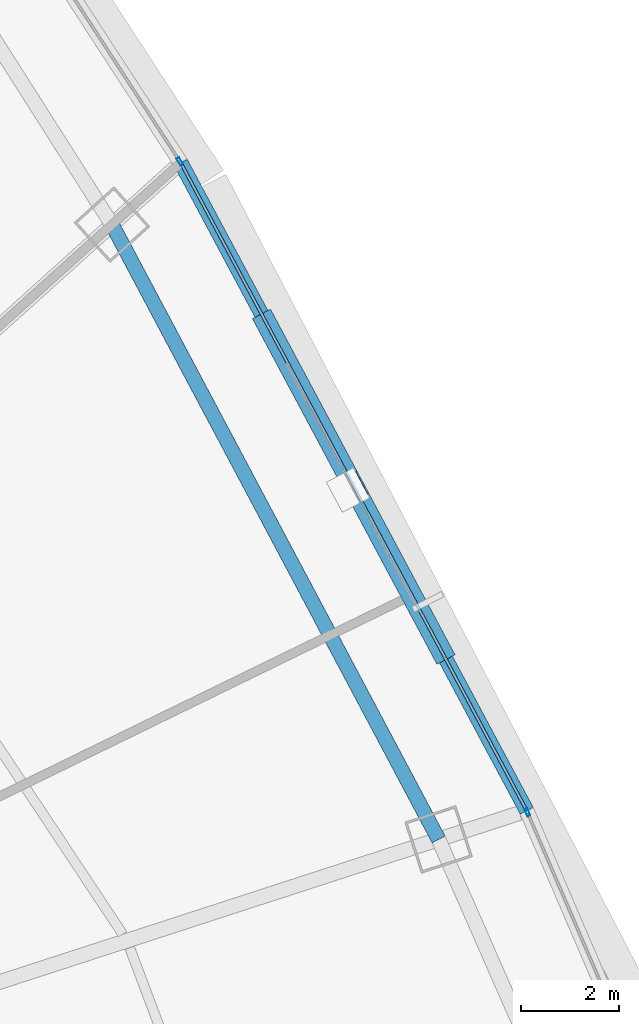
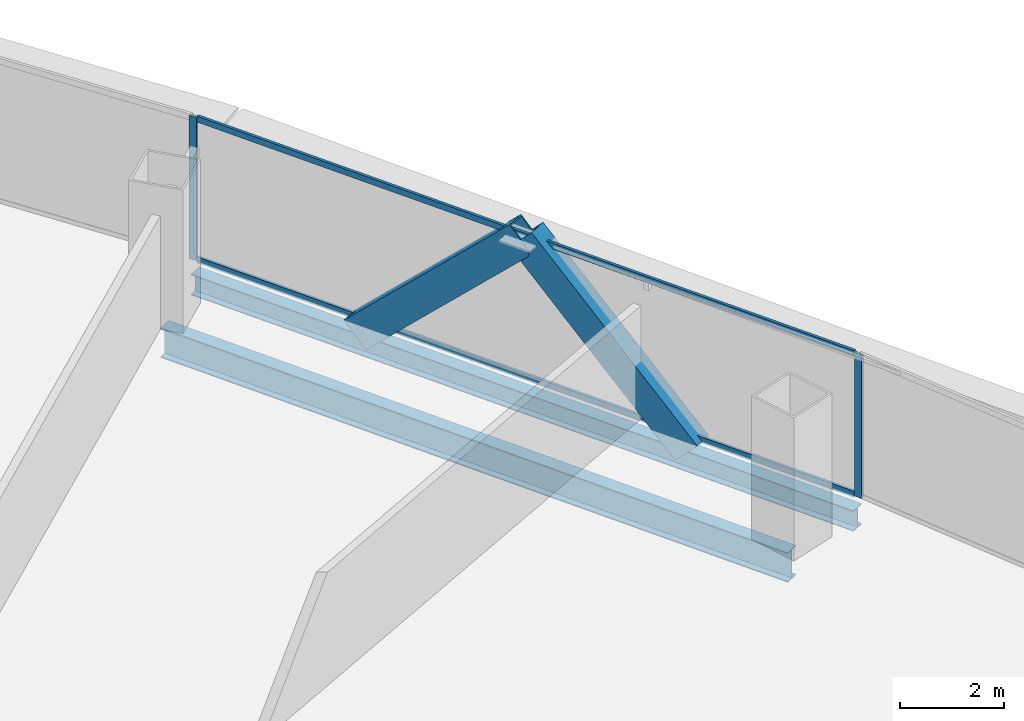
# One storey, part 23 of 38: 6 members, 2 beams, 3 elements without a shape of their own.
"""IFC4 building model written with IfcOpenShell, lengths in metres."""

import ifcopenshell
import ifcopenshell.guid

model = None  # the IFC model being written
_history = None  # IfcOwnerHistory: only IFC2X3 demands one
_inside = {}  # id of a spatial element -> (the spatial element, [elements in it])
_under = {}  # id of a project, library or spatial element -> (it, [spatial elements below it])
_declared = {}  # id of a project -> (the project, [libraries it declares])
_typed = {}  # id of a type object -> (the type object, [elements of that type])
_made_of = {}  # id of a material, layer set ... -> (it, [elements and type objects made of it])


def new_model(schema):
    """Start an empty IFC model of exactly this schema.

    Asked for "IFC4X3", IfcOpenShell would pick the latest addendum, in which some entities
    have other attributes; the version numbers below select the first issue.
    IFC2X3 requires an IfcOwnerHistory on every rooted entity: one is made here for all.
    """
    global model, _history
    if schema == "IFC4X3":
        model = ifcopenshell.file(schema_version=(4, 3, 0, 0))
    else:
        model = ifcopenshell.file(schema=schema)
    _inside.clear()
    _under.clear()
    _declared.clear()
    _typed.clear()
    _made_of.clear()
    _history = None
    if model.schema == "IFC2X3":
        org = make("IfcOrganization", Name="unknown")
        user = make(
            "IfcPersonAndOrganization",
            ThePerson=make("IfcPerson", FamilyName="unknown"),
            TheOrganization=org,
        )
        app = make(
            "IfcApplication",
            ApplicationDeveloper=org,
            Version="unknown",
            ApplicationFullName="unknown",
            ApplicationIdentifier="unknown",
        )
        _history = make(
            "IfcOwnerHistory",
            OwningUser=user,
            OwningApplication=app,
            ChangeAction="ADDED",
            CreationDate=0,
        )
    return model


def make(cls, **values):
    """One entity of the class cls with the attributes given. An attribute that is None is left unset."""
    return model.create_entity(
        cls, **{name: value for name, value in values.items() if value is not None}
    )


def rooted(cls, **values):
    """An entity with a GlobalId (a new one), such as an element, a storey or a relation."""
    return make(cls, GlobalId=ifcopenshell.guid.new(), OwnerHistory=_history, **values)


def si_unit(unit_type, name, prefix=None):
    """IfcSIUnit, for example si_unit("LENGTHUNIT", "METRE", prefix="MILLI")."""
    return make("IfcSIUnit", UnitType=unit_type, Prefix=prefix, Name=name)


def assignment(units):
    """IfcUnitAssignment: the units of a project."""
    return None if units is None else make("IfcUnitAssignment", Units=units)


def point(xyz):
    """IfcCartesianPoint."""
    return None if xyz is None else make("IfcCartesianPoint", Coordinates=xyz)


def direction(xyz):
    """IfcDirection."""
    return None if xyz is None else make("IfcDirection", DirectionRatios=xyz)


def frame(location, z_axis=None, x_axis=None):
    """IfcAxis2Placement3D, a coordinate frame: its origin and axes. An axis left out is left unset."""
    return make(
        "IfcAxis2Placement3D",
        Location=point(location),
        Axis=direction(z_axis),
        RefDirection=direction(x_axis),
    )


def frame_2d(location, x_axis=None):
    """IfcAxis2Placement2D, a coordinate frame in the plane: its origin and x axis."""
    return make(
        "IfcAxis2Placement2D", Location=point(location), RefDirection=direction(x_axis)
    )


def origin():
    """The frame at (0, 0, 0) with its axes left unset."""
    return frame((0.0, 0.0, 0.0))


def origin_2d():
    """The frame at (0, 0) in the plane with its x axis left unset."""
    return frame_2d((0.0, 0.0))


def place(relative_to, where):
    """IfcLocalPlacement: puts the frame where relative to a parent placement (None: the world)."""
    return make(
        "IfcLocalPlacement", PlacementRelTo=relative_to, RelativePlacement=where
    )


def context(
    kind, dimensions, precision=None, world=None, true_north=None, identifier=None
):
    """IfcGeometricRepresentationContext, for example the 3D "Model" context."""
    return make(
        "IfcGeometricRepresentationContext",
        ContextIdentifier=identifier,
        ContextType=kind,
        CoordinateSpaceDimension=dimensions,
        Precision=precision,
        WorldCoordinateSystem=world,
        TrueNorth=true_north,
    )


def subcontext(parent, identifier, kind, view, scale=None):
    """IfcGeometricRepresentationSubContext, for example "Body" below "Model"."""
    return make(
        "IfcGeometricRepresentationSubContext",
        ContextIdentifier=identifier,
        ContextType=kind,
        ParentContext=parent,
        TargetScale=scale,
        TargetView=view,
    )


def project(units=None, contexts=None):
    """IfcProject with its units and contexts."""
    return rooted(
        "IfcProject",
        Name="project",
        RepresentationContexts=contexts,
        UnitsInContext=assignment(units),
    )


def spatial(cls, under=None, at=None, **own):
    """A site, building, storey or space (cls), placed at a placement, below another one or the project."""
    s = rooted(cls, ObjectPlacement=at, **own)
    if under is not None:
        _under.setdefault(under.id(), (under, []))[1].append(s)
    return s


def profile(cls, at=None, kind="AREA", **sizes):
    """A parametric profile (cls). Its sizes go by their IFC names, for example OverallWidth=200.0."""
    return make(cls, ProfileType=kind, Position=at, **sizes)


def hollow_rectangle(**sizes):
    """IfcRectangleHollowProfileDef."""
    return profile("IfcRectangleHollowProfileDef", **sizes)


def i_section(**sizes):
    """IfcIShapeProfileDef."""
    return profile("IfcIShapeProfileDef", **sizes)


def extrude(swept, where, along, depth):
    """IfcExtrudedAreaSolid: the profile swept, set in the frame where, extruded along a direction by depth."""
    return make(
        "IfcExtrudedAreaSolid",
        SweptArea=swept,
        Position=where,
        ExtrudedDirection=direction(along),
        Depth=depth,
    )


def shape(context_of_items, identifier, shape_type, items):
    """IfcShapeRepresentation: the items that make up one representation, for example the "Body"."""
    return make(
        "IfcShapeRepresentation",
        ContextOfItems=context_of_items,
        RepresentationIdentifier=identifier,
        RepresentationType=shape_type,
        Items=items,
    )


def source(mapping_origin, context_of_items, identifier, shape_type, items):
    """IfcRepresentationMap: a shape defined once, which mapped items show again and again."""
    return make(
        "IfcRepresentationMap",
        MappingOrigin=mapping_origin,
        MappedRepresentation=shape(context_of_items, identifier, shape_type, items),
    )


def transform(
    local_origin,
    x_axis=None,
    y_axis=None,
    z_axis=None,
    scale=None,
    scale2=None,
    scale3=None,
    uniform=True,
):
    """IfcCartesianTransformationOperator3D, or its non-uniform kind. x_axis, y_axis, z_axis: its Axis1, 2, 3."""
    if uniform:
        return make(
            "IfcCartesianTransformationOperator3D",
            Axis1=direction(x_axis),
            Axis2=direction(y_axis),
            LocalOrigin=point(local_origin),
            Scale=scale,
            Axis3=direction(z_axis),
        )
    return make(
        "IfcCartesianTransformationOperator3DnonUniform",
        Axis1=direction(x_axis),
        Axis2=direction(y_axis),
        LocalOrigin=point(local_origin),
        Scale=scale,
        Axis3=direction(z_axis),
        Scale2=scale2,
        Scale3=scale3,
    )


def mapped(mapping_source, mapping_target):
    """IfcMappedItem: shows the shape of a source again, moved by a transform."""
    return make(
        "IfcMappedItem", MappingSource=mapping_source, MappingTarget=mapping_target
    )


def material(Name=None, Category=None):
    """IfcMaterial."""
    return make("IfcMaterial", Name=Name, Category=Category)


def layer(
    of_material, thickness, ventilated=None, Name=None, Category=None, Priority=None
):
    """IfcMaterialLayer: one layer of a wall or slab, of a material (None: an air gap)."""
    return make(
        "IfcMaterialLayer",
        Material=of_material,
        LayerThickness=thickness,
        IsVentilated=ventilated,
        Name=Name,
        Category=Category,
        Priority=Priority,
    )


def layer_set(layers, Name=None):
    """IfcMaterialLayerSet."""
    return make("IfcMaterialLayerSet", MaterialLayers=layers, LayerSetName=Name)


def material_profile(
    of_material, cross_section, Name=None, Category=None, Priority=None
):
    """IfcMaterialProfile: a cross section and its material."""
    return make(
        "IfcMaterialProfile",
        Name=Name,
        Material=of_material,
        Profile=cross_section,
        Priority=Priority,
        Category=Category,
    )


def profile_set(profiles, Name=None, composite=None):
    """IfcMaterialProfileSet."""
    return make(
        "IfcMaterialProfileSet",
        Name=Name,
        MaterialProfiles=profiles,
        CompositeProfile=composite,
    )


def made_of(thing, what):
    """Note that an element or type object is made of a material, layer set ...; save() writes the relation."""
    if what is not None:
        _made_of.setdefault(what.id(), (what, []))[1].append(thing)
    return thing


def type_object(cls, material=None, **own):
    """A type object (cls), such as IfcWallType, which elements share."""
    return made_of(rooted(cls, **own), material)


def element(
    cls,
    number,
    at=None,
    inside=None,
    cuts=None,
    type_object=None,
    material=None,
    context=None,
    identifier="Body",
    shape_type=None,
    held_by="IfcProductDefinitionShape",
    body=None,
    shapes=None,
    **own,
):
    """One element of the class cls, such as IfcWall. Its Tag is "e" and its number.

    at: its placement. inside: the storey or other place that contains it. cuts: it is an
    opening in that element (IfcRelVoidsElement). A single representation is given by context,
    identifier, shape_type and body (its items); several are given by shapes. held_by: the class
    of the entity that holds the representations. save() writes the other relations.
    """
    e = rooted(cls, Tag="e%d" % number, ObjectPlacement=at, **own)
    if body is not None:
        shapes = [shape(context, identifier, shape_type, body)]
    if shapes is not None:
        e.Representation = make(held_by, Representations=shapes)
    if inside is not None:
        _inside.setdefault(inside.id(), (inside, []))[1].append(e)
    if cuts is not None:
        rooted(
            "IfcRelVoidsElement", RelatingBuildingElement=cuts, RelatedOpeningElement=e
        )
    if type_object is not None:
        _typed.setdefault(type_object.id(), (type_object, []))[1].append(e)
    return made_of(e, material)


def aggregate(whole, parts):
    """IfcRelAggregates: a whole, such as a stair, and the parts it consists of."""
    return rooted("IfcRelAggregates", RelatingObject=whole, RelatedObjects=parts)


def save(model, path):
    """Write the relations noted so far, then the file.

    IfcRelAggregates (storeys below a building ...), IfcRelContainedInSpatialStructure (elements
    in a storey), IfcRelDefinesByType, IfcRelAssociatesMaterial and IfcRelDeclares: one each for
    every whole, place, type object, material and project.
    """
    for whole, parts in _under.values():
        aggregate(whole, parts)
    for where, things in _inside.values():
        rooted(
            "IfcRelContainedInSpatialStructure",
            RelatedElements=things,
            RelatingStructure=where,
        )
    for kind, things in _typed.values():
        rooted("IfcRelDefinesByType", RelatedObjects=things, RelatingType=kind)
    for what, things in _made_of.values():
        rooted("IfcRelAssociatesMaterial", RelatedObjects=things, RelatingMaterial=what)
    for by, libraries in _declared.values():
        rooted("IfcRelDeclares", RelatingContext=by, RelatedDefinitions=libraries)
    model.write(path)


model = new_model("IFC4")

# Units and contexts
model_context = context("Model", 3, precision=1e-05, world=origin(), true_north=direction((0.0, 1.0)))
body_context = subcontext(model_context, "Body", "Model", "MODEL_VIEW")
ifc_project = project(units=[si_unit("LENGTHUNIT", "METRE"), si_unit("AREAUNIT", "SQUARE_METRE"), si_unit("VOLUMEUNIT", "CUBIC_METRE"), si_unit("PLANEANGLEUNIT", "RADIAN"), si_unit("MASSUNIT", "GRAM", prefix="KILO"), si_unit("THERMODYNAMICTEMPERATUREUNIT", "KELVIN"), si_unit("POWERUNIT", "WATT")], contexts=[model_context])

# Site, building, storey
site_placement = place(None, origin())
site = spatial("IfcSite", under=ifc_project, at=site_placement, CompositionType="ELEMENT")
building_placement = place(site_placement, origin())
building = spatial("IfcBuilding", under=site, at=building_placement, Name="Yunzhuo Pagoda Commons", CompositionType="ELEMENT")
storey_placement = place(building_placement, frame((0.0, 0.0, 37.659912109375)))
storey = spatial("IfcBuildingStorey", under=building, at=storey_placement, Name="L09", CompositionType="ELEMENT", Elevation=37.659912109375)

# Beams
ifc_material_1 = material(Name="Structural steel Q355B", Category="steel")
ifc_material_profile_1 = material_profile(ifc_material_1, i_section(OverallWidth=0.300048828125, OverallDepth=0.699951171875, WebThickness=0.012939453125, FlangeThickness=0.02392578125, at=origin_2d()), Name="Structural steel Q355B")
ifc_profile_set_1 = profile_set([ifc_material_profile_1], Name="Structural steel Q355B")
beam_type_1 = type_object("IfcBeamType", Name="B-RG1 Beam HN 700x300x13x24", PredefinedType="BEAM", material=ifc_profile_set_1)
shared_shape_1 = source(origin(), body_context, "Body", "SweptSolid", [
    extrude(i_section(OverallWidth=0.300048828125, OverallDepth=0.699951171875, WebThickness=0.012939453125, FlangeThickness=0.02392578125, at=origin_2d()), origin(), (0.0, 0.0, 1.0), 14.25390625),
])
beam_1_placement = place(storey_placement, frame((80.33544921875, 44.206298828125, -0.60986328125), z_axis=(-0.469118073628, 0.883135455633, 0.0), x_axis=(-0.883135455633, -0.469118073628, 0.0)))
element("IfcBeam", 1, at=beam_1_placement, inside=storey, type_object=beam_type_1, Name="L09 column-ring beam 6", PredefinedType="BEAM", context=body_context, shape_type="MappedRepresentation", body=[
    mapped(shared_shape_1, transform((0.0, 0.0, 0.0), scale=1.0)),
])
ifc_material_profile_2 = material_profile(ifc_material_1, i_section(OverallWidth=0.300048828125, OverallDepth=0.488037109375, WebThickness=0.010986328125, FlangeThickness=0.01806640625, at=origin_2d()), Name="Structural steel Q355B")
ifc_profile_set_2 = profile_set([ifc_material_profile_2], Name="Structural steel Q355B")
beam_type_2 = type_object("IfcBeamType", Name="B-SP1 Beam HM 488x300x11x18", PredefinedType="BEAM", material=ifc_profile_set_2)
shared_shape_2 = source(origin(), body_context, "Body", "SweptSolid", [
    extrude(i_section(OverallWidth=0.300048828125, OverallDepth=0.488037109375, WebThickness=0.010986328125, FlangeThickness=0.01806640625, at=origin_2d()), origin(), (0.0, 0.0, 1.0), 15.04150390625),
])
beam_2_placement = place(storey_placement, frame((82.140625, 44.79296875, -0.50390625), z_axis=(-0.470965610657, 0.882151570637, 0.0), x_axis=(-0.882151570637, -0.470965610657, 0.0)))
element("IfcBeam", 2, at=beam_2_placement, inside=storey, type_object=beam_type_2, Name="L09 facade edge spandrel beam F2.2", PredefinedType="BEAM", context=body_context, shape_type="MappedRepresentation", body=[
    mapped(shared_shape_2, transform((0.0, 0.0, 0.0), scale=1.0)),
])

# Members
ifc_material_2 = material(Name="Structural steel Q420B", Category="steel")
ifc_material_profile_3 = material_profile(ifc_material_2, hollow_rectangle(XDim=0.419921875, YDim=0.719970703125, WallThickness=0.028076171875, at=origin_2d()), Name="Structural steel Q420B")
ifc_profile_set_3 = profile_set([ifc_material_profile_3], Name="Structural steel Q420B")
member_type_1 = type_object("IfcMemberType", Name="M-DL1 Brace BOX 720x420x28", PredefinedType="BRACE", material=ifc_profile_set_3)
shared_shape_3 = source(origin(), body_context, "Body", "SweptSolid", [
    extrude(hollow_rectangle(XDim=0.419921875, YDim=0.719970703125, WallThickness=0.028076171875, at=origin_2d()), origin(), (0.0, 0.0, 1.0), 5.226806640625),
])
member_1_placement = place(storey_placement, frame((80.36962890625, 48.110107421875, -0.260009765625), z_axis=(-0.338872236988, 0.634678973975, 0.69451292788), x_axis=(-0.882135398072, -0.470995901753, 0.0)))
element("IfcMember", 3, at=member_1_placement, inside=storey, type_object=member_type_1, Name="L09 facade diamond brace F2.2L", PredefinedType="BRACE", context=body_context, shape_type="MappedRepresentation", body=[
    mapped(shared_shape_3, transform((0.0, 0.0, 0.0), scale=1.0)),
])
shared_shape_4 = source(origin(), body_context, "Body", "SweptSolid", [
    extrude(hollow_rectangle(XDim=0.419921875, YDim=0.719970703125, WallThickness=0.028076171875, at=origin_2d()), origin(), (0.0, 0.0, 1.0), 5.2265625),
])
member_2_placement = place(storey_placement, frame((76.827392578125, 54.744384765625, -0.260009765625), z_axis=(0.33885098128, -0.634633227416, 0.694565100725), x_axis=(0.882133567562, 0.470999330126, 0.0)))
element("IfcMember", 4, at=member_2_placement, inside=storey, type_object=member_type_1, Name="L09 facade diamond brace F2.2R", PredefinedType="BRACE", context=body_context, shape_type="MappedRepresentation", body=[
    mapped(shared_shape_4, transform((0.0, 0.0, 0.0), scale=1.0)),
])

# Curtain wall, members
ifc_material_3 = material(Name="Anodized aluminium 6063-T6", Category="aluminium")
ifc_layer = layer(ifc_material_3, 0.1650390625)
ifc_layer_set = layer_set([ifc_layer], Name="Anodized aluminium 6063-T6")
curtain_wall_type = type_object("IfcCurtainWallType", Name="CW-LOW Low-Zone Ribbon Curtain Wall", PredefinedType="NOTDEFINED", material=ifc_layer_set)
curtain_wall_1_placement = place(storey_placement, origin())
curtain_wall_1 = element("IfcCurtainWall", 5, at=curtain_wall_1_placement, inside=storey, type_object=curtain_wall_type, Name="L09 curtain wall CW-L09-F2B3", PredefinedType="NOTDEFINED")
ifc_material_profile_4 = material_profile(ifc_material_3, hollow_rectangle(XDim=0.06005859375, YDim=0.139892578125, WallThickness=0.00341796875, at=origin_2d()), Name="Anodized aluminium 6063-T6")
ifc_profile_set_4 = profile_set([ifc_material_profile_4], Name="Anodized aluminium 6063-T6")
member_type_2 = type_object("IfcMemberType", Name="CW-LOW-T Transom RHS 140x60x3.5", PredefinedType="USERDEFINED", material=ifc_profile_set_4)
shared_shape_5 = source(origin(), body_context, "Body", "SweptSolid", [
    extrude(hollow_rectangle(XDim=0.06005859375, YDim=0.139892578125, WallThickness=0.00341796875, at=origin_2d()), origin(), (0.0, 0.0, 1.0), 14.911865234375),
])
member_3_placement = place(storey_placement, frame((82.110107421875, 44.850341796875, 0.030029296875), z_axis=(-0.470983333873, 0.882142108287, 0.0), x_axis=(-0.882142108287, -0.470983333873, 0.0)))
member_3 = element("IfcMember", 6, at=member_3_placement, type_object=member_type_2, Name="CW transom 1.1", ObjectType="TRANSOM", PredefinedType="USERDEFINED", context=body_context, shape_type="MappedRepresentation", body=[
    mapped(shared_shape_5, transform((0.0, 0.0, 0.0), scale=1.0)),
])
member_4_placement = place(storey_placement, frame((82.110107421875, 44.850341796875, 3.340087890625), z_axis=(-0.470983333873, 0.882142108287, 0.0), x_axis=(-0.882142108287, -0.470983333873, 0.0)))
member_4 = element("IfcMember", 7, at=member_4_placement, type_object=member_type_2, Name="CW transom 1.2", ObjectType="TRANSOM", PredefinedType="USERDEFINED", context=body_context, shape_type="MappedRepresentation", body=[
    mapped(shared_shape_5, transform((0.0, 0.0, 0.0), scale=1.0)),
])
aggregate(curtain_wall_1, [member_3, member_4])

# Curtain wall, member
curtain_wall_2_placement = place(storey_placement, origin())
curtain_wall_2 = element("IfcCurtainWall", 8, at=curtain_wall_2_placement, inside=storey, type_object=curtain_wall_type, Name="L09 curtain wall CW-L09-F2B2", PredefinedType="NOTDEFINED")
ifc_material_profile_5 = material_profile(ifc_material_3, hollow_rectangle(XDim=0.06494140625, YDim=0.1650390625, WallThickness=0.00390625, at=origin_2d()), Name="Anodized aluminium 6063-T6")
ifc_profile_set_5 = profile_set([ifc_material_profile_5], Name="Anodized aluminium 6063-T6")
member_type_3 = type_object("IfcMemberType", Name="CW-LOW-M Mullion RHS 165x65x4", PredefinedType="MULLION", material=ifc_profile_set_5)
shared_shape_6 = source(origin(), body_context, "Body", "SweptSolid", [
    extrude(hollow_rectangle(XDim=0.06494140625, YDim=0.1650390625, WallThickness=0.00390625, at=origin_2d()), origin(), (0.0, 0.0, 1.0), 3.3701171875),
])
member_5_placement = place(storey_placement, frame((82.15380859375, 44.76318359375, 0.0), z_axis=(0.0, 0.0, 1.0), x_axis=(-0.918745212535, -0.394850901535, 0.0)))
member_5 = element("IfcMember", 9, at=member_5_placement, type_object=member_type_3, Name="CW mullion 2", PredefinedType="MULLION", context=body_context, shape_type="MappedRepresentation", body=[
    mapped(shared_shape_6, transform((0.0, 0.0, 0.0), scale=1.0)),
])
aggregate(curtain_wall_2, [member_5])

curtain_wall_3_placement = place(storey_placement, origin())
curtain_wall_3 = element("IfcCurtainWall", 10, at=curtain_wall_3_placement, inside=storey, type_object=curtain_wall_type, Name="L09 curtain wall CW-L09-F2B4", PredefinedType="NOTDEFINED")
member_6_placement = place(storey_placement, frame((75.038818359375, 58.0888671875, 0.0), z_axis=(0.0, 0.0, 1.0), x_axis=(-0.83865240069, -0.544667009114, 0.0)))
member_6 = element("IfcMember", 11, at=member_6_placement, type_object=member_type_3, Name="CW mullion 1", PredefinedType="MULLION", context=body_context, shape_type="MappedRepresentation", body=[
    mapped(shared_shape_6, transform((0.0, 0.0, 0.0), scale=1.0)),
])
aggregate(curtain_wall_3, [member_6])

save(model, "model.ifc")
